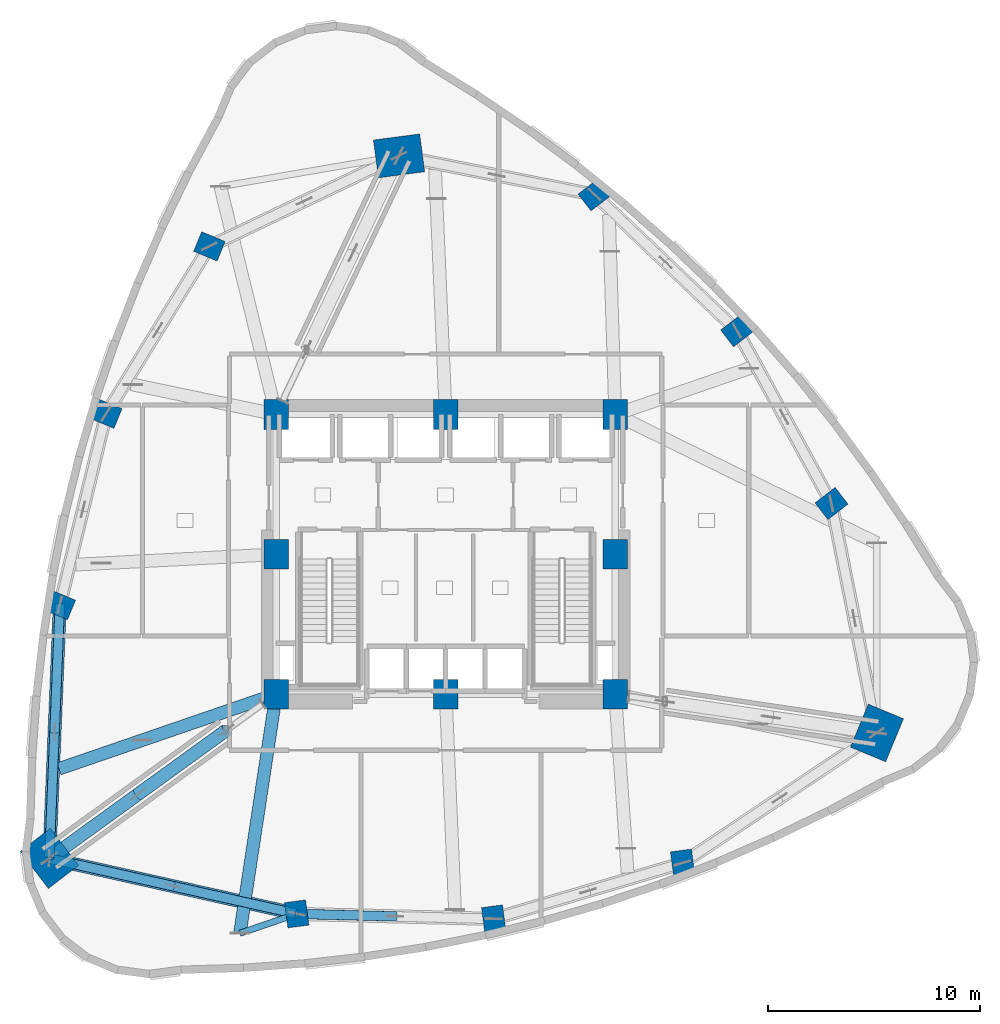
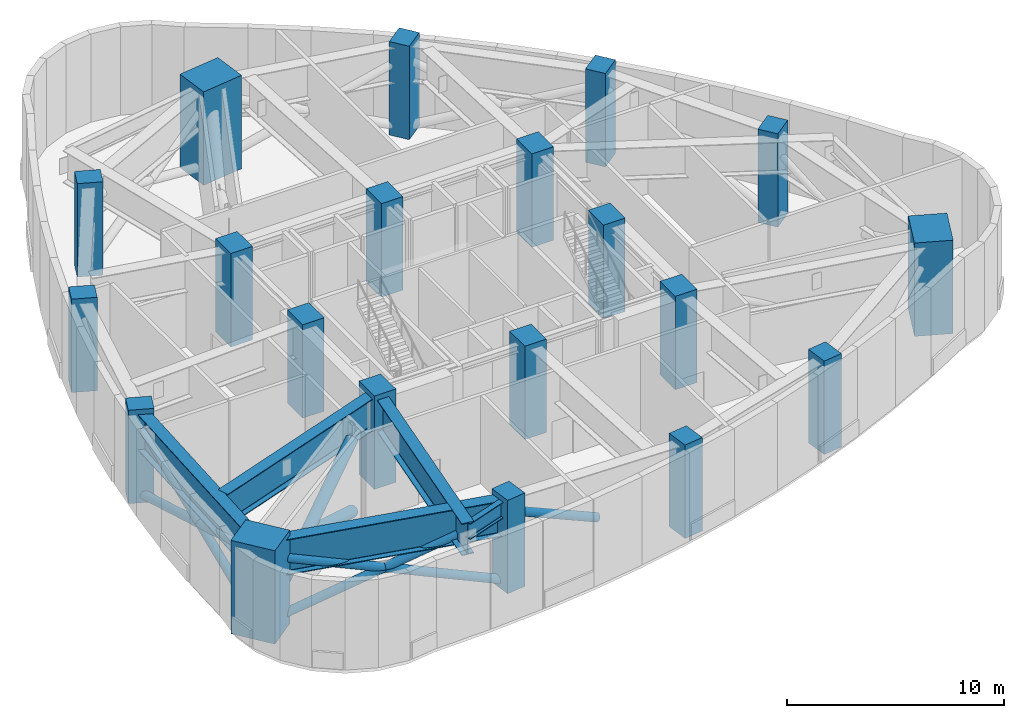
# One storey, part 1 of 13: 20 columns, 10 members, 5 beams.
"""IFC4 building model written with IfcOpenShell, lengths in metres."""

from ifc_helpers import new_model, si_unit, direction, frame, origin, origin_2d, place, context, subcontext, project, spatial, rectangle, hollow_circle, i_section, extrude, material, material_profile, profile_set, type_object, element, save


model = new_model("IFC4")

# Units and contexts
model_context = context("Model", 3, precision=1e-05, world=origin(), true_north=direction((0.0, 1.0)))
body_context = subcontext(model_context, "Body", "Model", "MODEL_VIEW")
ifc_project = project(units=[si_unit("LENGTHUNIT", "METRE"), si_unit("AREAUNIT", "SQUARE_METRE"), si_unit("VOLUMEUNIT", "CUBIC_METRE"), si_unit("PLANEANGLEUNIT", "RADIAN"), si_unit("MASSUNIT", "GRAM", prefix="KILO")], contexts=[model_context])

# Site, building, storey
site_placement = place(None, origin())
site = spatial("IfcSite", under=ifc_project, at=site_placement, CompositionType="ELEMENT")
building_placement = place(site_placement, origin())
building = spatial("IfcBuilding", under=site, at=building_placement, Name="Ndelora Gate Hotel", CompositionType="ELEMENT")
storey_placement = place(building_placement, frame((0.0, 0.0, 83.0)))
storey = spatial("IfcBuildingStorey", under=building, at=storey_placement, Name="L20", CompositionType="ELEMENT", Elevation=83.0)

# Columns
ifc_material_1 = material(Name="Concrete C60/75", Category="concrete")
ifc_material_profile_1 = material_profile(ifc_material_1, rectangle(XDim=1.14990234375, YDim=1.39990234375, at=origin_2d()), Name="RC 1400x1150")
ifc_profile_set_1 = profile_set([ifc_material_profile_1], Name="Concrete C60/75")
column_type_1 = type_object("IfcColumnType", Name="COL-CC-LOW", PredefinedType="COLUMN", material=ifc_profile_set_1)
for number, where, z_axis, x_axis, name in (
    (1, (-8.0, -6.60009765625, 0.0), (0.0, 0.0, 1.0), (1.0, 0.0, 0.0), "L20 Core Column CC1"),
    (2, (0.0, -6.60009765625, 0.0), (0.0, 0.0, 1.0), (1.0, 0.0, 0.0), "L20 Core Column CC2"),
    (3, (8.0, -6.60009765625, 0.0), (0.0, 0.0, 1.0), (1.0, 0.0, 0.0), "L20 Core Column CC3"),
    (4, (8.0, 0.0, 0.0), (0.0, 0.0, 1.0), (1.0, 0.0, 0.0), "L20 Core Column CC4"),
    (5, (8.0, 6.60009765625, 0.0), (0.0, 0.0, 1.0), (1.0, 0.0, 0.0), "L20 Core Column CC5"),
    (6, (0.0, 6.60009765625, 0.0), (0.0, 0.0, 1.0), (1.0, 0.0, 0.0), "L20 Core Column CC6"),
    (7, (-8.0, 6.60009765625, 0.0), (0.0, 0.0, 1.0), (1.0, 0.0, 0.0), "L20 Core Column CC7"),
    (8, (-8.0, 0.0, 0.0), (0.0, 0.0, 1.0), (1.0, 0.0, 0.0), "L20 Core Column CC8"),
):
    element("IfcColumn", number, at=place(storey_placement, frame(where, z_axis=z_axis, x_axis=x_axis)), inside=storey, type_object=column_type_1, Name=name, PredefinedType="COLUMN", context=body_context, shape_type="SweptSolid", body=[
        extrude(rectangle(XDim=1.14990234375, YDim=1.39990234375, at=origin_2d()), origin(), (0.0, 0.0, 1.0), 5.25),
    ])
ifc_material_profile_2 = material_profile(ifc_material_1, rectangle(XDim=1.800048828125, YDim=2.199951171875, at=origin_2d()), Name="RC 2200x1800")
ifc_profile_set_2 = profile_set([ifc_material_profile_2], Name="Concrete C60/75")
column_type_2 = type_object("IfcColumnType", Name="COL-MC-Z1", PredefinedType="COLUMN", material=ifc_profile_set_2)
for number, where, z_axis, x_axis, name in (
    (9, (-2.199951171875, 18.800048828125, 0.0), (0.0, 0.0, 1.0), (-0.13052619222, 0.991444861374, 0.0), "L20 Corner Mega-Column R1"),
    (10, (-18.701904296875, -14.3505859375, 0.0), (0.0, 0.0, 1.0), (0.793353340291, 0.608761429009, 0.0), "L20 Corner Mega-Column R5"),
    (11, (20.35009765625, -8.42919921875, 0.0), (0.0, 0.0, 1.0), (-0.923879532511, 0.382683432365, 0.0), "L20 Corner Mega-Column R9"),
):
    element("IfcColumn", number, at=place(storey_placement, frame(where, z_axis=z_axis, x_axis=x_axis)), inside=storey, type_object=column_type_2, Name=name, PredefinedType="COLUMN", context=body_context, shape_type="SweptSolid", body=[
        extrude(rectangle(XDim=1.800048828125, YDim=2.199951171875, at=origin_2d()), origin(), (0.0, 0.0, 1.0), 5.25),
    ])
ifc_material_profile_3 = material_profile(ifc_material_1, rectangle(XDim=1.0, YDim=1.199951171875, at=origin_2d()), Name="RC 1200x1000")
ifc_profile_set_3 = profile_set([ifc_material_profile_3], Name="Concrete C60/75")
column_type_3 = type_object("IfcColumnType", Name="COL-PT-Z1", PredefinedType="COLUMN", material=ifc_profile_set_3)
for number, where, z_axis, x_axis, name in (
    (12, (-11.1484375, 14.529052734375, 0.0), (0.0, 0.0, 1.0), (0.382683432365, 0.923879532511, 0.0), "L20 Perimeter Tube Column R2"),
    (13, (-16.016845703125, 6.634521484375, 0.0), (0.0, 0.0, 1.0), (0.382683432365, 0.923879532511, 0.0), "L20 Perimeter Tube Column R3"),
    (14, (-18.207275390625, -2.39697265625, 0.0), (0.0, 0.0, 1.0), (0.382683432365, 0.923879532511, 0.0), "L20 Perimeter Tube Column R4"),
    (15, (-7.027587890625, -16.96630859375, 0.0), (0.0, 0.0, 1.0), (0.991444861374, 0.13052619222, 0.0), "L20 Perimeter Tube Column R6"),
    (16, (2.2646484375, -17.20166015625, 0.0), (0.0, 0.0, 1.0), (0.991444861374, 0.13052619222, 0.0), "L20 Perimeter Tube Column R7"),
    (17, (11.179443359375, -14.5693359375, 0.0), (0.0, 0.0, 1.0), (0.991444861374, 0.13052619222, 0.0), "L20 Perimeter Tube Column R8"),
    (18, (18.207275390625, 2.39697265625, 0.0), (0.0, 0.0, 1.0), (-0.608761429009, 0.793353340291, 0.0), "L20 Perimeter Tube Column R10"),
    (19, (13.75390625, 10.5537109375, 0.0), (0.0, 0.0, 1.0), (-0.608761429009, 0.793353340291, 0.0), "L20 Perimeter Tube Column R11"),
    (20, (7.027587890625, 16.96630859375, 0.0), (0.0, 0.0, 1.0), (-0.608761429009, 0.793353340291, 0.0), "L20 Perimeter Tube Column R12"),
):
    element("IfcColumn", number, at=place(storey_placement, frame(where, z_axis=z_axis, x_axis=x_axis)), inside=storey, type_object=column_type_3, Name=name, PredefinedType="COLUMN", context=body_context, shape_type="SweptSolid", body=[
        extrude(rectangle(XDim=1.0, YDim=1.199951171875, at=origin_2d()), origin(), (0.0, 0.0, 1.0), 5.25),
    ])

# Beams
ifc_material_2 = material(Name="Steel S460", Category="steel")
ifc_material_profile_4 = material_profile(ifc_material_2, i_section(OverallWidth=0.300048828125, OverallDepth=0.89990234375, WebThickness=0.0185546875, FlangeThickness=0.034912109375, FilletRadius=0.030029296875, at=origin_2d()), Name="HEB 900")
ifc_profile_set_4 = profile_set([ifc_material_profile_4], Name="Steel S460")
beam_type_1 = type_object("IfcBeamType", Name="BM-BELT-900", PredefinedType="SPANDREL", material=ifc_profile_set_4)
beam_1_placement = place(storey_placement, frame((-9.71044921875, -17.884521484375, 4.510009765625), z_axis=(0.946114480869, 0.323832347195, 0.0), x_axis=(-0.323832347195, 0.946114480869, 0.0)))
element("IfcBeam", 21, at=beam_1_placement, inside=storey, type_object=beam_type_1, Name="L20 Setback Corner Transfer Edge Tie 2", PredefinedType="SPANDREL", context=body_context, shape_type="SweptSolid", body=[
    extrude(i_section(OverallWidth=0.300048828125, OverallDepth=0.89990234375, WebThickness=0.0185546875, FlangeThickness=0.034912109375, FilletRadius=0.030029296875, at=origin_2d()), origin(), (0.0, 0.0, 1.0), 2.38525390625),
])
ifc_material_profile_5 = material_profile(ifc_material_2, i_section(OverallWidth=0.60009765625, OverallDepth=1.800048828125, WebThickness=0.028076171875, FlangeThickness=0.0400390625, FilletRadius=0.02392578125, at=origin_2d()), Name="PG 1800x600x40")
ifc_profile_set_5 = profile_set([ifc_material_profile_5], Name="Steel S460")
beam_type_2 = type_object("IfcBeamType", Name="BM-TR-1800", PredefinedType="BEAM", material=ifc_profile_set_5)
beam_2_placement = place(storey_placement, frame((-8.0, -6.60009765625, 4.06005859375), z_axis=(-0.149864309615, -0.988706573612, 0.0), x_axis=(0.988706573612, -0.149864309615, 0.0)))
element("IfcBeam", 22, at=beam_2_placement, inside=storey, type_object=beam_type_2, Name="L20 Setback Two-Support Radial Transfer Girder 2", PredefinedType="BEAM", context=body_context, shape_type="SweptSolid", body=[
    extrude(i_section(OverallWidth=0.60009765625, OverallDepth=1.800048828125, WebThickness=0.028076171875, FlangeThickness=0.0400390625, FilletRadius=0.02392578125, at=origin_2d()), origin(), (0.0, 0.0, 1.0), 11.413330078125),
])
beam_3_placement = place(storey_placement, frame((-8.0, -6.60009765625, 4.06005859375), z_axis=(-0.945722742558, -0.324974605482, 0.0), x_axis=(0.324974605482, -0.945722742558, 0.0)))
element("IfcBeam", 23, at=beam_3_placement, inside=storey, type_object=beam_type_2, Name="L20 Setback Two-Support Radial Transfer Girder 6", PredefinedType="BEAM", context=body_context, shape_type="SweptSolid", body=[
    extrude(i_section(OverallWidth=0.60009765625, OverallDepth=1.800048828125, WebThickness=0.028076171875, FlangeThickness=0.0400390625, FilletRadius=0.02392578125, at=origin_2d()), origin(), (0.0, 0.0, 1.0), 10.83544921875),
])
ifc_material_profile_6 = material_profile(ifc_material_2, i_section(OverallWidth=0.6201171875, OverallDepth=2.0, WebThickness=0.028076171875, FlangeThickness=0.0400390625, FilletRadius=0.02392578125, at=origin_2d()), Name="PG 2000x620x40")
ifc_profile_set_6 = profile_set([ifc_material_profile_6], Name="Steel S460")
beam_type_3 = type_object("IfcBeamType", Name="BM-TR-2000", PredefinedType="BEAM", material=ifc_profile_set_6)
for number, where, z_axis, x_axis, name in (
    (24, (-18.207275390625, -2.39697265625, 3.9599609375), (-0.041343648978, -0.99914498582, 0.0), (0.99914498582, -0.041343648978, 0.0), "L20 Belt Truss Top Chord Girder 4"),
    (25, (-18.701904296875, -14.3505859375, 3.9599609375), (0.97580624377, -0.218637084273, 0.0), (0.218637084273, 0.97580624377, 0.0), "L20 Belt Truss Top Chord Girder 5"),
):
    element("IfcBeam", number, at=place(storey_placement, frame(where, z_axis=z_axis, x_axis=x_axis)), inside=storey, type_object=beam_type_3, Name=name, PredefinedType="BEAM", context=body_context, shape_type="SweptSolid", body=[
        extrude(i_section(OverallWidth=0.6201171875, OverallDepth=2.0, WebThickness=0.028076171875, FlangeThickness=0.0400390625, FilletRadius=0.02392578125, at=origin_2d()), origin(), (0.0, 0.0, 1.0), 11.9638671875),
    ])

# Members
ifc_material_profile_7 = material_profile(ifc_material_2, hollow_circle(Radius=0.228515625, WallThickness=0.02490234375, at=origin_2d()), Name="CHS 457x25")
ifc_profile_set_7 = profile_set([ifc_material_profile_7], Name="Steel S460")
member_type_1 = type_object("IfcMemberType", Name="MB-BELT-457", PredefinedType="BRACE", material=ifc_profile_set_7)
member_1_placement = place(storey_placement, frame((-18.207275390625, -2.39697265625, 0.239990234375), z_axis=(-0.039288531579, -0.949479310558, 0.311360643158), x_axis=(0.99914498582, -0.041343648978, 0.0)))
element("IfcMember", 26, at=member_1_placement, inside=storey, type_object=member_type_1, Name="L20 Storey-Deep Belt Truss Continuous Diagonal 4A", PredefinedType="BRACE", context=body_context, shape_type="SweptSolid", body=[
    extrude(hollow_circle(Radius=0.228515625, WallThickness=0.02490234375, at=origin_2d()), origin(), (0.0, 0.0, 1.0), 12.589599609375),
])
for number, where, z_axis, x_axis, name in (
    (27, (-18.701904296875, -14.3505859375, 0.239990234375), (0.039288531579, 0.949479310558, 0.311360643158), (-0.99914498582, 0.041343648978, 0.0), "L20 Storey-Deep Belt Truss Split Diagonal 4B-Lower"),
    (28, (-18.45458984375, -8.373779296875, 2.199951171875), (0.039288531579, 0.949479310558, 0.311360643158), (-0.99914498582, 0.041343648978, 0.0), "L20 Storey-Deep Belt Truss Split Diagonal 4B-Upper"),
):
    element("IfcMember", number, at=place(storey_placement, frame(where, z_axis=z_axis, x_axis=x_axis)), inside=storey, type_object=member_type_1, Name=name, PredefinedType="BRACE", context=body_context, shape_type="SweptSolid", body=[
        extrude(hollow_circle(Radius=0.228515625, WallThickness=0.02490234375, at=origin_2d()), origin(), (0.0, 0.0, 1.0), 6.294921875),
    ])
member_2_placement = place(storey_placement, frame((-18.701904296875, -14.3505859375, 0.239990234375), z_axis=(0.927300110812, -0.207768902657, 0.311362469764), x_axis=(0.218637084273, 0.97580624377, 0.0)))
element("IfcMember", 29, at=member_2_placement, inside=storey, type_object=member_type_1, Name="L20 Storey-Deep Belt Truss Continuous Diagonal 5A", PredefinedType="BRACE", context=body_context, shape_type="SweptSolid", body=[
    extrude(hollow_circle(Radius=0.228515625, WallThickness=0.02490234375, at=origin_2d()), origin(), (0.0, 0.0, 1.0), 12.589599609375),
])
for number, where, z_axis, x_axis, name in (
    (30, (-7.027587890625, -16.96630859375, 0.239990234375), (-0.927300110812, 0.207768902657, 0.311362469764), (-0.218637084273, -0.97580624377, 0.0), "L20 Storey-Deep Belt Truss Split Diagonal 5B-Lower"),
    (31, (-12.86474609375, -15.658447265625, 2.199951171875), (-0.927300110812, 0.207768902657, 0.311362469764), (-0.218637084273, -0.97580624377, 0.0), "L20 Storey-Deep Belt Truss Split Diagonal 5B-Upper"),
):
    element("IfcMember", number, at=place(storey_placement, frame(where, z_axis=z_axis, x_axis=x_axis)), inside=storey, type_object=member_type_1, Name=name, PredefinedType="BRACE", context=body_context, shape_type="SweptSolid", body=[
        extrude(hollow_circle(Radius=0.228515625, WallThickness=0.02490234375, at=origin_2d()), origin(), (0.0, 0.0, 1.0), 6.294677734375),
    ])
member_3_placement = place(storey_placement, frame((-2.381591796875, -17.083984375, 2.199951171875), z_axis=(-0.921118247797, 0.023330477953, 0.38858314731), x_axis=(-0.025320308239, -0.9996793896, 0.0)))
element("IfcMember", 32, at=member_3_placement, inside=storey, type_object=member_type_1, Name="L20 Storey-Deep Belt Truss Split Diagonal 6B-Upper", PredefinedType="BRACE", context=body_context, shape_type="SweptSolid", body=[
    extrude(hollow_circle(Radius=0.228515625, WallThickness=0.02490234375, at=origin_2d()), origin(), (0.0, 0.0, 1.0), 5.0439453125),
])
ifc_material_profile_8 = material_profile(ifc_material_2, hollow_circle(Radius=0.304931640625, WallThickness=0.031982421875, at=origin_2d()), Name="CHS 610x32")
ifc_profile_set_8 = profile_set([ifc_material_profile_8], Name="Steel S460")
member_type_2 = type_object("IfcMemberType", Name="MB-OUT-610", PredefinedType="BRACE", material=ifc_profile_set_8)
member_4_placement = place(storey_placement, frame((-10.35009765625, -8.302001953125, 0.0), z_axis=(-0.753602168797, -0.545777243765, 0.366348155956), x_axis=(0.586555869105, -0.80990876796, 0.0)))
element("IfcMember", 33, at=member_4_placement, inside=storey, type_object=member_type_2, Name="L20 Core-to-Mega-Column Outrigger Continuous Arm 2A", PredefinedType="BRACE", context=body_context, shape_type="SweptSolid", body=[
    extrude(hollow_circle(Radius=0.304931640625, WallThickness=0.031982421875, at=origin_2d()), origin(), (0.0, 0.0, 1.0), 11.08251953125),
])
member_5_placement = place(storey_placement, frame((-10.35009765625, -8.302001953125, 4.06005859375), z_axis=(-0.75360171085, -0.545770836781, -0.366358642757), x_axis=(0.586551586198, -0.809911869729, 0.0)))
element("IfcMember", 34, at=member_5_placement, inside=storey, type_object=member_type_2, Name="L20 Core-to-Mega-Column Outrigger Split Arm 2B-Upper", PredefinedType="BRACE", context=body_context, shape_type="SweptSolid", body=[
    extrude(hollow_circle(Radius=0.304931640625, WallThickness=0.031982421875, at=origin_2d()), origin(), (0.0, 0.0, 1.0), 5.541015625),
])
member_6_placement = place(storey_placement, frame((-14.52587890625, -11.326171875, 2.030029296875), z_axis=(-0.753602626604, -0.545783650299, -0.3663376697), x_axis=(0.586560151712, -0.809905666373, 0.0)))
element("IfcMember", 35, at=member_6_placement, inside=storey, type_object=member_type_2, Name="L20 Core-to-Mega-Column Outrigger Split Arm 2B-Lower", PredefinedType="BRACE", context=body_context, shape_type="SweptSolid", body=[
    extrude(hollow_circle(Radius=0.304931640625, WallThickness=0.031982421875, at=origin_2d()), origin(), (0.0, 0.0, 1.0), 5.54150390625),
])

save(model, "model.ifc")
